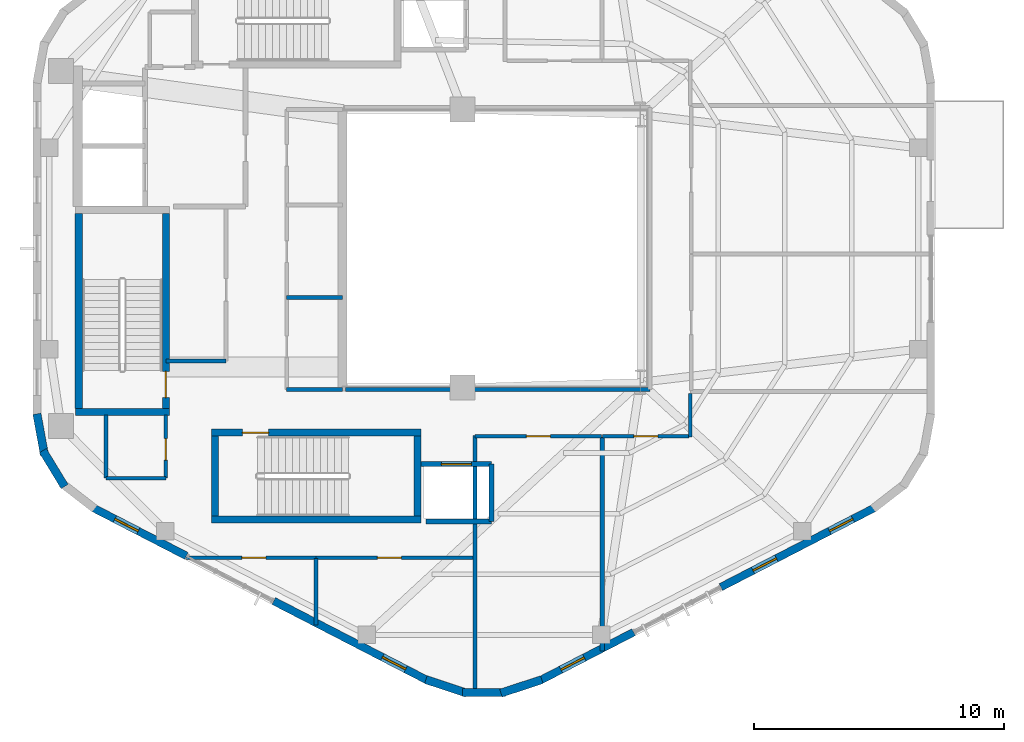
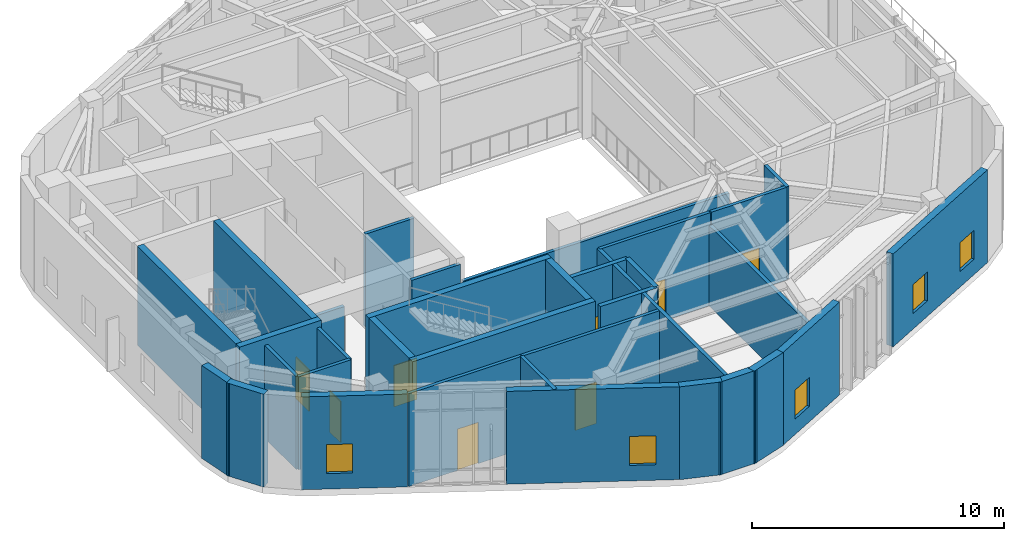
# One storey, part 14 of 19: 34 walls, 8 doors, 5 windows, 13 openings.
"""IFC4 building model written with IfcOpenShell, lengths in metres."""

import ifcopenshell
import ifcopenshell.guid

model = None  # the IFC model being written
_history = None  # IfcOwnerHistory: only IFC2X3 demands one
_inside = {}  # id of a spatial element -> (the spatial element, [elements in it])
_under = {}  # id of a project, library or spatial element -> (it, [spatial elements below it])
_declared = {}  # id of a project -> (the project, [libraries it declares])
_typed = {}  # id of a type object -> (the type object, [elements of that type])
_made_of = {}  # id of a material, layer set ... -> (it, [elements and type objects made of it])


def new_model(schema):
    """Start an empty IFC model of exactly this schema.

    Asked for "IFC4X3", IfcOpenShell would pick the latest addendum, in which some entities
    have other attributes; the version numbers below select the first issue.
    IFC2X3 requires an IfcOwnerHistory on every rooted entity: one is made here for all.
    """
    global model, _history
    if schema == "IFC4X3":
        model = ifcopenshell.file(schema_version=(4, 3, 0, 0))
    else:
        model = ifcopenshell.file(schema=schema)
    _inside.clear()
    _under.clear()
    _declared.clear()
    _typed.clear()
    _made_of.clear()
    _history = None
    if model.schema == "IFC2X3":
        org = make("IfcOrganization", Name="unknown")
        user = make(
            "IfcPersonAndOrganization",
            ThePerson=make("IfcPerson", FamilyName="unknown"),
            TheOrganization=org,
        )
        app = make(
            "IfcApplication",
            ApplicationDeveloper=org,
            Version="unknown",
            ApplicationFullName="unknown",
            ApplicationIdentifier="unknown",
        )
        _history = make(
            "IfcOwnerHistory",
            OwningUser=user,
            OwningApplication=app,
            ChangeAction="ADDED",
            CreationDate=0,
        )
    return model


def make(cls, **values):
    """One entity of the class cls with the attributes given. An attribute that is None is left unset."""
    return model.create_entity(
        cls, **{name: value for name, value in values.items() if value is not None}
    )


def rooted(cls, **values):
    """An entity with a GlobalId (a new one), such as an element, a storey or a relation."""
    return make(cls, GlobalId=ifcopenshell.guid.new(), OwnerHistory=_history, **values)


def si_unit(unit_type, name, prefix=None):
    """IfcSIUnit, for example si_unit("LENGTHUNIT", "METRE", prefix="MILLI")."""
    return make("IfcSIUnit", UnitType=unit_type, Prefix=prefix, Name=name)


def assignment(units):
    """IfcUnitAssignment: the units of a project."""
    return None if units is None else make("IfcUnitAssignment", Units=units)


def point(xyz):
    """IfcCartesianPoint."""
    return None if xyz is None else make("IfcCartesianPoint", Coordinates=xyz)


def direction(xyz):
    """IfcDirection."""
    return None if xyz is None else make("IfcDirection", DirectionRatios=xyz)


def frame(location, z_axis=None, x_axis=None):
    """IfcAxis2Placement3D, a coordinate frame: its origin and axes. An axis left out is left unset."""
    return make(
        "IfcAxis2Placement3D",
        Location=point(location),
        Axis=direction(z_axis),
        RefDirection=direction(x_axis),
    )


def frame_2d(location, x_axis=None):
    """IfcAxis2Placement2D, a coordinate frame in the plane: its origin and x axis."""
    return make(
        "IfcAxis2Placement2D", Location=point(location), RefDirection=direction(x_axis)
    )


def origin():
    """The frame at (0, 0, 0) with its axes left unset."""
    return frame((0.0, 0.0, 0.0))


def place(relative_to, where):
    """IfcLocalPlacement: puts the frame where relative to a parent placement (None: the world)."""
    return make(
        "IfcLocalPlacement", PlacementRelTo=relative_to, RelativePlacement=where
    )


def context(
    kind, dimensions, precision=None, world=None, true_north=None, identifier=None
):
    """IfcGeometricRepresentationContext, for example the 3D "Model" context."""
    return make(
        "IfcGeometricRepresentationContext",
        ContextIdentifier=identifier,
        ContextType=kind,
        CoordinateSpaceDimension=dimensions,
        Precision=precision,
        WorldCoordinateSystem=world,
        TrueNorth=true_north,
    )


def subcontext(parent, identifier, kind, view, scale=None):
    """IfcGeometricRepresentationSubContext, for example "Body" below "Model"."""
    return make(
        "IfcGeometricRepresentationSubContext",
        ContextIdentifier=identifier,
        ContextType=kind,
        ParentContext=parent,
        TargetScale=scale,
        TargetView=view,
    )


def project(units=None, contexts=None):
    """IfcProject with its units and contexts."""
    return rooted(
        "IfcProject",
        Name="project",
        RepresentationContexts=contexts,
        UnitsInContext=assignment(units),
    )


def spatial(cls, under=None, at=None, **own):
    """A site, building, storey or space (cls), placed at a placement, below another one or the project."""
    s = rooted(cls, ObjectPlacement=at, **own)
    if under is not None:
        _under.setdefault(under.id(), (under, []))[1].append(s)
    return s


def profile(cls, at=None, kind="AREA", **sizes):
    """A parametric profile (cls). Its sizes go by their IFC names, for example OverallWidth=200.0."""
    return make(cls, ProfileType=kind, Position=at, **sizes)


def rectangle(**sizes):
    """IfcRectangleProfileDef."""
    return profile("IfcRectangleProfileDef", **sizes)


def extrude(swept, where, along, depth):
    """IfcExtrudedAreaSolid: the profile swept, set in the frame where, extruded along a direction by depth."""
    return make(
        "IfcExtrudedAreaSolid",
        SweptArea=swept,
        Position=where,
        ExtrudedDirection=direction(along),
        Depth=depth,
    )


def shape(context_of_items, identifier, shape_type, items):
    """IfcShapeRepresentation: the items that make up one representation, for example the "Body"."""
    return make(
        "IfcShapeRepresentation",
        ContextOfItems=context_of_items,
        RepresentationIdentifier=identifier,
        RepresentationType=shape_type,
        Items=items,
    )


def material(Name=None, Category=None):
    """IfcMaterial."""
    return make("IfcMaterial", Name=Name, Category=Category)


def layer(
    of_material, thickness, ventilated=None, Name=None, Category=None, Priority=None
):
    """IfcMaterialLayer: one layer of a wall or slab, of a material (None: an air gap)."""
    return make(
        "IfcMaterialLayer",
        Material=of_material,
        LayerThickness=thickness,
        IsVentilated=ventilated,
        Name=Name,
        Category=Category,
        Priority=Priority,
    )


def layer_set(layers, Name=None):
    """IfcMaterialLayerSet."""
    return make("IfcMaterialLayerSet", MaterialLayers=layers, LayerSetName=Name)


def made_of(thing, what):
    """Note that an element or type object is made of a material, layer set ...; save() writes the relation."""
    if what is not None:
        _made_of.setdefault(what.id(), (what, []))[1].append(thing)
    return thing


def type_object(cls, material=None, **own):
    """A type object (cls), such as IfcWallType, which elements share."""
    return made_of(rooted(cls, **own), material)


def element(
    cls,
    number,
    at=None,
    inside=None,
    cuts=None,
    type_object=None,
    material=None,
    context=None,
    identifier="Body",
    shape_type=None,
    held_by="IfcProductDefinitionShape",
    body=None,
    shapes=None,
    **own,
):
    """One element of the class cls, such as IfcWall. Its Tag is "e" and its number.

    at: its placement. inside: the storey or other place that contains it. cuts: it is an
    opening in that element (IfcRelVoidsElement). A single representation is given by context,
    identifier, shape_type and body (its items); several are given by shapes. held_by: the class
    of the entity that holds the representations. save() writes the other relations.
    """
    e = rooted(cls, Tag="e%d" % number, ObjectPlacement=at, **own)
    if body is not None:
        shapes = [shape(context, identifier, shape_type, body)]
    if shapes is not None:
        e.Representation = make(held_by, Representations=shapes)
    if inside is not None:
        _inside.setdefault(inside.id(), (inside, []))[1].append(e)
    if cuts is not None:
        rooted(
            "IfcRelVoidsElement", RelatingBuildingElement=cuts, RelatedOpeningElement=e
        )
    if type_object is not None:
        _typed.setdefault(type_object.id(), (type_object, []))[1].append(e)
    return made_of(e, material)


def fill(opening, filler):
    """IfcRelFillsElement: the door or window that sits in an opening."""
    return rooted(
        "IfcRelFillsElement",
        RelatingOpeningElement=opening,
        RelatedBuildingElement=filler,
    )


def aggregate(whole, parts):
    """IfcRelAggregates: a whole, such as a stair, and the parts it consists of."""
    return rooted("IfcRelAggregates", RelatingObject=whole, RelatedObjects=parts)


def save(model, path):
    """Write the relations noted so far, then the file.

    IfcRelAggregates (storeys below a building ...), IfcRelContainedInSpatialStructure (elements
    in a storey), IfcRelDefinesByType, IfcRelAssociatesMaterial and IfcRelDeclares: one each for
    every whole, place, type object, material and project.
    """
    for whole, parts in _under.values():
        aggregate(whole, parts)
    for where, things in _inside.values():
        rooted(
            "IfcRelContainedInSpatialStructure",
            RelatedElements=things,
            RelatingStructure=where,
        )
    for kind, things in _typed.values():
        rooted("IfcRelDefinesByType", RelatedObjects=things, RelatingType=kind)
    for what, things in _made_of.values():
        rooted("IfcRelAssociatesMaterial", RelatedObjects=things, RelatingMaterial=what)
    for by, libraries in _declared.values():
        rooted("IfcRelDeclares", RelatingContext=by, RelatedDefinitions=libraries)
    model.write(path)


model = new_model("IFC4")

# Units and contexts
model_context = context("Model", 3, precision=1e-05, world=origin(), true_north=direction((0.0, 1.0)))
body_context = subcontext(model_context, "Body", "Model", "MODEL_VIEW")
ifc_project = project(units=[si_unit("LENGTHUNIT", "METRE"), si_unit("AREAUNIT", "SQUARE_METRE"), si_unit("VOLUMEUNIT", "CUBIC_METRE"), si_unit("PLANEANGLEUNIT", "RADIAN"), si_unit("MASSUNIT", "GRAM", prefix="KILO"), si_unit("THERMODYNAMICTEMPERATUREUNIT", "KELVIN"), si_unit("POWERUNIT", "WATT")], contexts=[model_context])

# Site, building, storey
site_placement = place(None, origin())
site = spatial("IfcSite", under=ifc_project, at=site_placement, CompositionType="ELEMENT")
building_placement = place(site_placement, origin())
building = spatial("IfcBuilding", under=site, at=building_placement, Name="Skarre Station Tower", CompositionType="ELEMENT")
storey_placement = place(building_placement, frame((0.0, 0.0, 275.10009765625)))
storey = spatial("IfcBuildingStorey", under=building, at=storey_placement, Name="L75", CompositionType="ELEMENT", Elevation=275.10009765625)

# Walls
ifc_material_1 = material(Name="Acoustic Steel-Stud Gypsum Partition", Category="steel")
ifc_layer_1 = layer(ifc_material_1, 0.14990234375, Name="Acoustic Steel-Stud Gypsum Partition")
ifc_layer_set_1 = layer_set([ifc_layer_1], Name="Acoustic Steel-Stud Gypsum Partition")
wall_type_1 = type_object("IfcWallType", Name="Fire-Rated Corridor Acoustic Partition 150", PredefinedType="PARTITIONING", material=ifc_layer_set_1)
wall_1_placement = place(storey_placement, frame((20.489990234375, 19.5, 0.0), z_axis=(0.0, 0.0, 1.0), x_axis=(1.0, 0.0, 0.0)))
element("IfcWall", 1, at=wall_1_placement, inside=storey, type_object=wall_type_1, Name="L75 Interior Partition WL-PT-L75-B3-S", PredefinedType="PARTITIONING", context=body_context, shape_type="SweptSolid", body=[
    extrude(rectangle(XDim=2.409912109375, YDim=0.159912109375, at=frame_2d((1.205078125, 0.0))), origin(), (0.0, 0.0, 1.0), 3.389892578125),
])
for number, where, z_axis, x_axis, name in (
    (2, (25.320068359375, 22.0400390625, 0.0), (0.0, 0.0, 1.0), (1.0, 0.0, 0.0), "L75 Interior Partition WL-PT-L75-RC2-M1"),
    (3, (25.320068359375, 18.360107421875, 0.0), (0.0, 0.0, 1.0), (1.0, 0.0, 0.0), "L75 Interior Partition WL-PT-L75-RC2-S"),
):
    element("IfcWall", number, at=place(storey_placement, frame(where, z_axis=z_axis, x_axis=x_axis)), inside=storey, type_object=wall_type_1, Name=name, PredefinedType="PARTITIONING", context=body_context, shape_type="SweptSolid", body=[
        extrude(rectangle(XDim=2.22998046875, YDim=0.14990234375, at=frame_2d((1.114990234375, 0.0))), origin(), (0.0, 0.0, 1.0), 4.489990234375),
    ])
wall_2_placement = place(storey_placement, frame((18.10009765625, 17.340087890625, 0.0), z_axis=(0.0, 0.0, 1.0), x_axis=(0.0, -1.0, 0.0)))
element("IfcWall", 4, at=wall_2_placement, inside=storey, type_object=wall_type_1, Name="L75 Interior Partition WL-PT-L75-CSVC-W", PredefinedType="PARTITIONING", context=body_context, shape_type="SweptSolid", body=[
    extrude(rectangle(XDim=2.52001953125, YDim=0.14990234375, at=frame_2d((1.260009765625, 0.0))), origin(), (0.0, 0.0, 1.0), 4.489990234375),
])
wall_3_placement = place(storey_placement, frame((18.10009765625, 14.820068359375, 0.0), z_axis=(0.0, 0.0, 1.0), x_axis=(1.0, 0.0, 0.0)))
element("IfcWall", 5, at=wall_3_placement, inside=storey, type_object=wall_type_1, Name="L75 Interior Partition WL-PT-L75-CSVC-S", PredefinedType="PARTITIONING", context=body_context, shape_type="SweptSolid", body=[
    extrude(rectangle(XDim=2.389892578125, YDim=0.14990234375, at=frame_2d((1.19482421875, 0.0))), origin(), (0.0, 0.0, 1.0), 4.489990234375),
])

# Wall, opening, door
wall_4_placement = place(storey_placement, frame((20.489990234375, 14.820068359375, 0.0), z_axis=(0.0, 0.0, 1.0), x_axis=(0.0, 1.0, 0.0)))
wall_4 = element("IfcWall", 6, at=wall_4_placement, inside=storey, type_object=wall_type_1, Name="L75 Interior Partition WL-PT-L75-CSVC-E", PredefinedType="PARTITIONING", context=body_context, shape_type="SweptSolid", body=[
    extrude(rectangle(XDim=2.52001953125, YDim=0.14990234375, at=frame_2d((1.260009765625, 0.0))), origin(), (0.0, 0.0, 1.0), 4.489990234375),
])
opening_1_placement = place(wall_4_placement, frame((0.719970703125, 0.0, 0.0)))
opening_1 = element("IfcOpeningElement", 7, at=opening_1_placement, cuts=wall_4, Name="Opening DR-SVC86", PredefinedType="OPENING", context=body_context, shape_type="SweptSolid", body=[
    extrude(rectangle(XDim=0.860107421875, YDim=2.0, at=frame_2d((0.43017578125, 1.0))), frame((0.0, 0.0849609375, 0.0), z_axis=(0.0, -1.0, 0.0), x_axis=(1.0, 0.0, 0.0)), (0.0, 0.0, 1.0), 0.169921875),
])
ifc_material_2 = material(Name="Powder-Coated Hollow-Metal Acoustic Fire Leaf", Category="steel")
door_type_1 = type_object("IfcDoorType", Name="Compact Riser Fire Door FD60 860x2100", OperationType="SINGLE_SWING_LEFT", PredefinedType="DOOR", material=ifc_material_2)
door_1_placement = place(opening_1_placement, origin())
door_1 = element("IfcDoor", 8, at=door_1_placement, inside=storey, type_object=door_type_1, Name="L75 Core Staff Toilet Door", OperationType="SINGLE_SWING_LEFT", OverallHeight=2.0, OverallWidth=0.860107421875, PredefinedType="DOOR", context=body_context, shape_type="SweptSolid", body=[
    extrude(rectangle(XDim=0.860107421875, YDim=2.0, at=frame_2d((0.43017578125, 1.0))), frame((0.0, 0.02490234375, 0.0), z_axis=(0.0, -1.0, 0.0), x_axis=(1.0, 0.0, 0.0)), (0.0, 0.0, 1.0), 0.050048828125),
])
fill(opening_1, door_1)

# Wall
wall_5_placement = place(storey_placement, frame((27.675048828125, 18.360107421875, 0.0), z_axis=(0.0, 0.0, 1.0), x_axis=(1.0, 0.0, 0.0)))
element("IfcWall", 9, at=wall_5_placement, inside=storey, type_object=wall_type_1, Name="L75 Interior Partition WL-PT-L75-ATRW-S", PredefinedType="PARTITIONING", context=body_context, shape_type="SweptSolid", body=[
    extrude(rectangle(XDim=12.1650390625, YDim=0.14990234375, at=frame_2d((6.08251953125, 0.0))), origin(), (0.0, 0.0, 1.0), 3.630859375),
])

# Wall, opening, door
wall_6_placement = place(storey_placement, frame((26.48291015625, 11.639892578125, 0.0), z_axis=(0.0, 0.0, 1.0), x_axis=(-1.0, 0.0, 0.0)))
wall_6 = element("IfcWall", 10, at=wall_6_placement, inside=storey, type_object=wall_type_1, Name="L75 Interior Partition WL-PT-L75-CRNSWP1-CW", PredefinedType="PARTITIONING", context=body_context, shape_type="SweptSolid", body=[
    extrude(rectangle(XDim=5.184814453125, YDim=0.14990234375, at=frame_2d((2.59228515625, 0.0))), origin(), (0.0, 0.0, 1.0), 4.489990234375),
])
opening_2_placement = place(wall_6_placement, frame((1.993896484375, 0.0, 0.0)))
opening_2 = element("IfcOpeningElement", 11, at=opening_2_placement, cuts=wall_6, Name="Opening DR-FD60", PredefinedType="OPENING", context=body_context, shape_type="SweptSolid", body=[
    extrude(rectangle(XDim=0.9599609375, YDim=2.0, at=frame_2d((0.47998046875, 1.0))), frame((0.0, 0.0849609375, 0.0), z_axis=(0.0, -1.0, 0.0), x_axis=(1.0, 0.0, 0.0)), (0.0, 0.0, 1.0), 0.169921875),
])
ifc_material_3 = material(Name="Nordic White-Oak Veneer Solid-Core Fire Leaf", Category="wood")
door_type_2 = type_object("IfcDoorType", Name="Corridor Suite Entry Fire Door FD60 960x2150", OperationType="SINGLE_SWING_LEFT", PredefinedType="DOOR", material=ifc_material_3)
door_2_placement = place(opening_2_placement, origin())
door_2 = element("IfcDoor", 12, at=door_2_placement, inside=storey, type_object=door_type_2, Name="L75 CRNSWP1 Entry Door", OperationType="SINGLE_SWING_LEFT", OverallHeight=2.0, OverallWidth=0.9599609375, PredefinedType="DOOR", context=body_context, shape_type="SweptSolid", body=[
    extrude(rectangle(XDim=0.9599609375, YDim=2.0, at=frame_2d((0.47998046875, 1.0))), frame((0.0, 0.02490234375, 0.0), z_axis=(0.0, -1.0, 0.0), x_axis=(1.0, 0.0, 0.0)), (0.0, 0.0, 1.0), 0.050048828125),
])
fill(opening_2, door_2)

wall_7_placement = place(storey_placement, frame((32.77294921875, 11.639892578125, 0.0), z_axis=(0.0, 0.0, 1.0), x_axis=(-1.0, 0.0, 0.0)))
wall_7 = element("IfcWall", 13, at=wall_7_placement, inside=storey, type_object=wall_type_1, Name="L75 Interior Partition WL-PT-L75-CRNSWP2-CW", PredefinedType="PARTITIONING", context=body_context, shape_type="SweptSolid", body=[
    extrude(rectangle(XDim=6.280029296875, YDim=0.14990234375, at=frame_2d((3.14013671875, 0.0))), origin(), (0.0, 0.0, 1.0), 4.489990234375),
])
opening_3_placement = place(wall_7_placement, frame((2.864990234375, 0.0, 0.0)))
opening_3 = element("IfcOpeningElement", 14, at=opening_3_placement, cuts=wall_7, Name="Opening DR-FD60", PredefinedType="OPENING", context=body_context, shape_type="SweptSolid", body=[
    extrude(rectangle(XDim=0.9599609375, YDim=2.0, at=frame_2d((0.47998046875, 1.0))), frame((0.0, 0.0849609375, 0.0), z_axis=(0.0, -1.0, 0.0), x_axis=(1.0, 0.0, 0.0)), (0.0, 0.0, 1.0), 0.169921875),
])
door_3_placement = place(opening_3_placement, origin())
door_3 = element("IfcDoor", 15, at=door_3_placement, inside=storey, type_object=door_type_2, Name="L75 CRNSWP2 Entry Door", OperationType="SINGLE_SWING_LEFT", OverallHeight=2.0, OverallWidth=0.9599609375, PredefinedType="DOOR", context=body_context, shape_type="SweptSolid", body=[
    extrude(rectangle(XDim=0.9599609375, YDim=2.0, at=frame_2d((0.47998046875, 1.0))), frame((0.0, 0.02490234375, 0.0), z_axis=(0.0, -1.0, 0.0), x_axis=(1.0, 0.0, 0.0)), (0.0, 0.0, 1.0), 0.050048828125),
])
fill(opening_3, door_3)

# Wall
wall_8_placement = place(storey_placement, frame((41.449951171875, 16.4599609375, 0.0), z_axis=(0.0, 0.0, 1.0), x_axis=(0.0, 1.0, 0.0)))
element("IfcWall", 16, at=wall_8_placement, inside=storey, type_object=wall_type_1, Name="L75 Interior Partition WL-PT-L75-CRNS-ERET", PredefinedType="PARTITIONING", context=body_context, shape_type="SweptSolid", body=[
    extrude(rectangle(XDim=1.741943359375, YDim=0.14990234375, at=frame_2d((0.87109375, 0.0))), origin(), (0.0, 0.0, 1.0), 4.489990234375),
])

# Wall, opening, door
wall_9_placement = place(storey_placement, frame((32.85009765625, 16.5, 0.0), z_axis=(0.0, 0.0, 1.0), x_axis=(1.0, 0.0, 0.0)))
wall_9 = element("IfcWall", 17, at=wall_9_placement, inside=storey, type_object=wall_type_1, Name="L75 Interior Partition WL-PT-L75-CRNS1-CW", PredefinedType="PARTITIONING", context=body_context, shape_type="SweptSolid", body=[
    extrude(rectangle(XDim=5.060791015625, YDim=0.14990234375, at=frame_2d((2.5302734375, 0.0))), origin(), (0.0, 0.0, 1.0), 4.489990234375),
])
opening_4_placement = place(wall_9_placement, frame((2.051025390625, 0.0, 0.0)))
opening_4 = element("IfcOpeningElement", 18, at=opening_4_placement, cuts=wall_9, Name="Opening DR-FD60", PredefinedType="OPENING", context=body_context, shape_type="SweptSolid", body=[
    extrude(rectangle(XDim=0.9599609375, YDim=2.0, at=frame_2d((0.47998046875, 1.0))), frame((0.0, 0.0849609375, 0.0), z_axis=(0.0, -1.0, 0.0), x_axis=(1.0, 0.0, 0.0)), (0.0, 0.0, 1.0), 0.169921875),
])
door_4_placement = place(opening_4_placement, origin())
door_4 = element("IfcDoor", 19, at=door_4_placement, inside=storey, type_object=door_type_2, Name="L75 CRNS1 Entry Door", OperationType="SINGLE_SWING_LEFT", OverallHeight=2.0, OverallWidth=0.9599609375, PredefinedType="DOOR", context=body_context, shape_type="SweptSolid", body=[
    extrude(rectangle(XDim=0.9599609375, YDim=2.0, at=frame_2d((0.47998046875, 1.0))), frame((0.0, 0.02490234375, 0.0), z_axis=(0.0, -1.0, 0.0), x_axis=(1.0, 0.0, 0.0)), (0.0, 0.0, 1.0), 0.050048828125),
])
fill(opening_4, door_4)

wall_10_placement = place(storey_placement, frame((37.947021484375, 16.5, 0.0), z_axis=(0.0, 0.0, 1.0), x_axis=(1.0, 0.0, 0.0)))
wall_10 = element("IfcWall", 20, at=wall_10_placement, inside=storey, type_object=wall_type_1, Name="L75 Interior Partition WL-PT-L75-CRNS2-CW", PredefinedType="PARTITIONING", context=body_context, shape_type="SweptSolid", body=[
    extrude(rectangle(XDim=3.452880859375, YDim=0.14990234375, at=frame_2d((1.7265625, 0.0))), origin(), (0.0, 0.0, 1.0), 4.489990234375),
])
opening_5_placement = place(wall_10_placement, frame((1.2470703125, 0.0, 0.0)))
opening_5 = element("IfcOpeningElement", 21, at=opening_5_placement, cuts=wall_10, Name="Opening DR-FD60", PredefinedType="OPENING", context=body_context, shape_type="SweptSolid", body=[
    extrude(rectangle(XDim=0.9599609375, YDim=2.0, at=frame_2d((0.47998046875, 1.0))), frame((0.0, 0.0849609375, 0.0), z_axis=(0.0, -1.0, 0.0), x_axis=(1.0, 0.0, 0.0)), (0.0, 0.0, 1.0), 0.169921875),
])
door_5_placement = place(opening_5_placement, origin())
door_5 = element("IfcDoor", 22, at=door_5_placement, inside=storey, type_object=door_type_2, Name="L75 CRNS2 Entry Door", OperationType="SINGLE_SWING_LEFT", OverallHeight=2.0, OverallWidth=0.9599609375, PredefinedType="DOOR", context=body_context, shape_type="SweptSolid", body=[
    extrude(rectangle(XDim=0.9599609375, YDim=2.0, at=frame_2d((0.47998046875, 1.0))), frame((0.0, 0.02490234375, 0.0), z_axis=(0.0, -1.0, 0.0), x_axis=(1.0, 0.0, 0.0)), (0.0, 0.0, 1.0), 0.050048828125),
])
fill(opening_5, door_5)

# Walls
ifc_material_4 = material(Name="Precast concrete C45/55", Category="concrete")
ifc_layer_2 = layer(ifc_material_4, 0.330078125, Name="Precast concrete C45/55")
ifc_layer_set_2 = layer_set([ifc_layer_2], Name="Precast concrete C45/55")
wall_type_2 = type_object("IfcWallType", Name="Nordic Rounded Corner Precast Wall 330", PredefinedType="STANDARD", material=ifc_layer_set_2)
wall_11_placement = place(storey_placement, frame((16.447021484375, 14.485107421875, 0.0), z_axis=(0.0, 0.0, 1.0), x_axis=(-0.520325409202, 0.853968072318, 0.0)))
element("IfcWall", 23, at=wall_11_placement, inside=storey, type_object=wall_type_2, Name="L75 Rounded Corner Precast Wall F3-2", PredefinedType="STANDARD", context=body_context, shape_type="SweptSolid", body=[
    extrude(rectangle(XDim=1.677978515625, YDim=0.330078125, at=frame_2d((0.8388671875, 0.0))), origin(), (0.0, 0.0, 1.0), 4.489990234375),
])
wall_12_placement = place(storey_placement, frame((15.64111328125, 15.742919921875, 0.0), z_axis=(0.0, 0.0, 1.0), x_axis=(-0.180832605401, 0.983513888475, 0.0)))
element("IfcWall", 24, at=wall_12_placement, inside=storey, type_object=wall_type_2, Name="L75 Rounded Corner Precast Wall F3-3", PredefinedType="STANDARD", context=body_context, shape_type="SweptSolid", body=[
    extrude(rectangle(XDim=1.6767578125, YDim=0.330078125, at=frame_2d((0.83837890625, 0.0))), origin(), (0.0, 0.0, 1.0), 4.489990234375),
])
wall_13_placement = place(storey_placement, frame((35.51806640625, 6.76904296875, 0.0), z_axis=(0.0, 0.0, 1.0), x_axis=(-0.949713440491, -0.313120393699, 0.0)))
element("IfcWall", 25, at=wall_13_placement, inside=storey, type_object=wall_type_2, Name="L75 Rounded Corner Precast Wall F4-1", PredefinedType="STANDARD", context=body_context, shape_type="SweptSolid", body=[
    extrude(rectangle(XDim=1.7216796875, YDim=0.330078125, at=frame_2d((0.86083984375, 0.0))), origin(), (0.0, 0.0, 1.0), 4.489990234375),
])
wall_14_placement = place(storey_placement, frame((34.06103515625, 6.259033203125, 0.0), z_axis=(0.0, 0.0, 1.0), x_axis=(-1.0, 0.0, 0.0)))
element("IfcWall", 26, at=wall_14_placement, inside=storey, type_object=wall_type_2, Name="L75 Rounded Corner Precast Wall F4-2", PredefinedType="STANDARD", context=body_context, shape_type="SweptSolid", body=[
    extrude(rectangle(XDim=1.721923828125, YDim=0.330078125, at=frame_2d((0.86083984375, 0.0))), origin(), (0.0, 0.0, 1.0), 4.489990234375),
])
wall_15_placement = place(storey_placement, frame((32.51708984375, 6.22998046875, 0.0), z_axis=(0.0, 0.0, 1.0), x_axis=(-0.949713440491, 0.313120393699, 0.0)))
element("IfcWall", 27, at=wall_15_placement, inside=storey, type_object=wall_type_2, Name="L75 Rounded Corner Precast Wall F4-3", PredefinedType="STANDARD", context=body_context, shape_type="SweptSolid", body=[
    extrude(rectangle(XDim=1.7216796875, YDim=0.330078125, at=frame_2d((0.86083984375, 0.0))), origin(), (0.0, 0.0, 1.0), 4.489990234375),
])

# Wall, opening, window
ifc_layer_3 = layer(ifc_material_4, 0.31005859375, Name="Precast concrete C45/55")
ifc_layer_set_3 = layer_set([ifc_layer_3], Name="Precast concrete C45/55")
wall_type_3 = type_object("IfcWallType", Name="Nordic Upper-Zone Precast Facet Wall 310", PredefinedType="STANDARD", material=ifc_layer_set_3)
wall_16_placement = place(storey_placement, frame((30.962890625, 6.72998046875, 0.0), z_axis=(0.0, 0.0, 1.0), x_axis=(-0.888615566095, 0.458652783371, 0.0)))
wall_16 = element("IfcWall", 28, at=wall_16_placement, inside=storey, type_object=wall_type_3, Name="L75 Facet 3 Pier A", PredefinedType="STANDARD", context=body_context, shape_type="SweptSolid", body=[
    extrude(rectangle(XDim=6.935302734375, YDim=0.31005859375, at=frame_2d((3.4677734375, 0.0))), origin(), (0.0, 0.0, 1.0), 4.489990234375),
])
opening_6_placement = place(wall_16_placement, frame((0.998046875, 0.0, 0.75)))
opening_6 = element("IfcOpeningElement", 29, at=opening_6_placement, cuts=wall_16, Name="Opening WN-SLT", PredefinedType="OPENING", context=body_context, shape_type="SweptSolid", body=[
    extrude(rectangle(XDim=1.050048828125, YDim=1.39990234375, at=frame_2d((0.52490234375, 0.699951171875))), frame((0.0, 0.1650390625, 0.0), z_axis=(0.0, -1.0, 0.0), x_axis=(1.0, 0.0, 0.0)), (0.0, 0.0, 1.0), 0.330078125),
])
ifc_material_5 = material(Name="Low-Iron Triple Glazing with Bronze Anodized Frame", Category="glass")
window_type = type_object("IfcWindowType", Name="Nordic Corner Slot Window 1050x1400", PartitioningType="SINGLE_PANEL", PredefinedType="WINDOW", material=ifc_material_5)
window_1_placement = place(opening_6_placement, origin())
window_1 = element("IfcWindow", 30, at=window_1_placement, inside=storey, type_object=window_type, Name="L75 Facade Window WL-FAC-L75-F3A-1", OverallHeight=1.39990234375, OverallWidth=1.050048828125, PartitioningType="SINGLE_PANEL", PredefinedType="WINDOW", context=body_context, shape_type="SweptSolid", body=[
    extrude(rectangle(XDim=1.050048828125, YDim=1.39990234375, at=frame_2d((0.52490234375, 0.699951171875))), frame((0.0, 0.030029296875, 0.0), z_axis=(0.0, -1.0, 0.0), x_axis=(1.0, 0.0, 0.0)), (0.0, 0.0, 1.0), 0.06005859375),
])
fill(opening_6, window_1)

wall_17_placement = place(storey_placement, frame((21.31689453125, 11.7099609375, 0.0), z_axis=(0.0, 0.0, 1.0), x_axis=(-0.888616094641, 0.45865175934, 0.0)))
wall_17 = element("IfcWall", 31, at=wall_17_placement, inside=storey, type_object=wall_type_3, Name="L75 Facet 3 Pier B", PredefinedType="STANDARD", context=body_context, shape_type="SweptSolid", body=[
    extrude(rectangle(XDim=4.22119140625, YDim=0.31005859375, at=frame_2d((2.110595703125, 0.0))), origin(), (0.0, 0.0, 1.0), 4.489990234375),
])
opening_7_placement = place(wall_17_placement, frame((2.173095703125, 0.0, 0.75)))
opening_7 = element("IfcOpeningElement", 32, at=opening_7_placement, cuts=wall_17, Name="Opening WN-SLT", PredefinedType="OPENING", context=body_context, shape_type="SweptSolid", body=[
    extrude(rectangle(XDim=1.050048828125, YDim=1.39990234375, at=frame_2d((0.52490234375, 0.699951171875))), frame((0.0, 0.1650390625, 0.0), z_axis=(0.0, -1.0, 0.0), x_axis=(1.0, 0.0, 0.0)), (0.0, 0.0, 1.0), 0.330078125),
])
window_2_placement = place(opening_7_placement, origin())
window_2 = element("IfcWindow", 33, at=window_2_placement, inside=storey, type_object=window_type, Name="L75 Facade Window WL-FAC-L75-F3B-1", OverallHeight=1.39990234375, OverallWidth=1.050048828125, PartitioningType="SINGLE_PANEL", PredefinedType="WINDOW", context=body_context, shape_type="SweptSolid", body=[
    extrude(rectangle(XDim=1.050048828125, YDim=1.39990234375, at=frame_2d((0.52490234375, 0.699951171875))), frame((0.0, 0.030029296875, 0.0), z_axis=(0.0, -1.0, 0.0), x_axis=(1.0, 0.0, 0.0)), (0.0, 0.0, 1.0), 0.06005859375),
])
fill(opening_7, window_2)

# Wall, openings, windows
wall_18_placement = place(storey_placement, frame((48.833984375, 13.64599609375, 0.0), z_axis=(0.0, 0.0, 1.0), x_axis=(-0.888622971019, -0.458638436437, 0.0)))
wall_18 = element("IfcWall", 34, at=wall_18_placement, inside=storey, type_object=wall_type_3, Name="L75 Facet 4 Pier A", PredefinedType="STANDARD", context=body_context, shape_type="SweptSolid", body=[
    extrude(rectangle(XDim=6.935546875, YDim=0.31005859375, at=frame_2d((3.4677734375, 0.0))), origin(), (0.0, 0.0, 1.0), 4.489990234375),
])
opening_8_placement = place(wall_18_placement, frame((0.998046875, 0.0, 0.75)))
opening_8 = element("IfcOpeningElement", 35, at=opening_8_placement, cuts=wall_18, Name="Opening WN-SLT", PredefinedType="OPENING", context=body_context, shape_type="SweptSolid", body=[
    extrude(rectangle(XDim=1.050048828125, YDim=1.39990234375, at=frame_2d((0.52490234375, 0.699951171875))), frame((0.0, 0.1650390625, 0.0), z_axis=(0.0, -1.0, 0.0), x_axis=(1.0, 0.0, 0.0)), (0.0, 0.0, 1.0), 0.330078125),
])
opening_9_placement = place(wall_18_placement, frame((4.43603515625, 0.0, 0.75)))
opening_9 = element("IfcOpeningElement", 36, at=opening_9_placement, cuts=wall_18, Name="Opening WN-SLT", PredefinedType="OPENING", context=body_context, shape_type="SweptSolid", body=[
    extrude(rectangle(XDim=1.050048828125, YDim=1.39990234375, at=frame_2d((0.52490234375, 0.699951171875))), frame((0.0, 0.1650390625, 0.0), z_axis=(0.0, -1.0, 0.0), x_axis=(1.0, 0.0, 0.0)), (0.0, 0.0, 1.0), 0.330078125),
])
window_3_placement = place(opening_8_placement, origin())
window_3 = element("IfcWindow", 37, at=window_3_placement, inside=storey, type_object=window_type, Name="L75 Facade Window WL-FAC-L75-F4A-1", OverallHeight=1.39990234375, OverallWidth=1.050048828125, PartitioningType="SINGLE_PANEL", PredefinedType="WINDOW", context=body_context, shape_type="SweptSolid", body=[
    extrude(rectangle(XDim=1.050048828125, YDim=1.39990234375, at=frame_2d((0.52490234375, 0.699951171875))), frame((0.0, 0.030029296875, 0.0), z_axis=(0.0, -1.0, 0.0), x_axis=(1.0, 0.0, 0.0)), (0.0, 0.0, 1.0), 0.06005859375),
])
fill(opening_8, window_3)
window_4_placement = place(opening_9_placement, origin())
window_4 = element("IfcWindow", 38, at=window_4_placement, inside=storey, type_object=window_type, Name="L75 Facade Window WL-FAC-L75-F4A-2", OverallHeight=1.39990234375, OverallWidth=1.050048828125, PartitioningType="SINGLE_PANEL", PredefinedType="WINDOW", context=body_context, shape_type="SweptSolid", body=[
    extrude(rectangle(XDim=1.050048828125, YDim=1.39990234375, at=frame_2d((0.52490234375, 0.699951171875))), frame((0.0, 0.030029296875, 0.0), z_axis=(0.0, -1.0, 0.0), x_axis=(1.0, 0.0, 0.0)), (0.0, 0.0, 1.0), 0.06005859375),
])
fill(opening_9, window_4)

# Wall, opening, window
wall_19_placement = place(storey_placement, frame((39.18798828125, 8.666015625, 0.0), z_axis=(0.0, 0.0, 1.0), x_axis=(-0.888616094641, -0.45865175934, 0.0)))
wall_19 = element("IfcWall", 39, at=wall_19_placement, inside=storey, type_object=wall_type_3, Name="L75 Facet 4 Pier B", PredefinedType="STANDARD", context=body_context, shape_type="SweptSolid", body=[
    extrude(rectangle(XDim=4.22119140625, YDim=0.31005859375, at=frame_2d((2.110595703125, 0.0))), origin(), (0.0, 0.0, 1.0), 4.489990234375),
])
opening_10_placement = place(wall_19_placement, frame((2.221923828125, 0.0, 0.75)))
opening_10 = element("IfcOpeningElement", 40, at=opening_10_placement, cuts=wall_19, Name="Opening WN-SLT", PredefinedType="OPENING", context=body_context, shape_type="SweptSolid", body=[
    extrude(rectangle(XDim=1.050048828125, YDim=1.39990234375, at=frame_2d((0.52490234375, 0.699951171875))), frame((0.0, 0.1650390625, 0.0), z_axis=(0.0, -1.0, 0.0), x_axis=(1.0, 0.0, 0.0)), (0.0, 0.0, 1.0), 0.330078125),
])
window_5_placement = place(opening_10_placement, origin())
window_5 = element("IfcWindow", 41, at=window_5_placement, inside=storey, type_object=window_type, Name="L75 Facade Window WL-FAC-L75-F4B-1", OverallHeight=1.39990234375, OverallWidth=1.050048828125, PartitioningType="SINGLE_PANEL", PredefinedType="WINDOW", context=body_context, shape_type="SweptSolid", body=[
    extrude(rectangle(XDim=1.050048828125, YDim=1.39990234375, at=frame_2d((0.52490234375, 0.699951171875))), frame((0.0, 0.030029296875, 0.0), z_axis=(0.0, -1.0, 0.0), x_axis=(1.0, 0.0, 0.0)), (0.0, 0.0, 1.0), 0.06005859375),
])
fill(opening_10, window_5)

# Walls
ifc_material_6 = material(Name="Concrete C50/60", Category="concrete")
ifc_layer_4 = layer(ifc_material_6, 0.280029296875, Name="Concrete C50/60")
ifc_layer_set_4 = layer_set([ifc_layer_4], Name="Concrete C50/60")
wall_type_4 = type_object("IfcWallType", Name="RC Core Shear Wall 280", PredefinedType="SHEAR", material=ifc_layer_set_4)
wall_20_placement = place(storey_placement, frame((16.8701171875, 17.4599609375, 0.0), z_axis=(0.0, 0.0, 1.0), x_axis=(1.0, 0.0, 0.0)))
element("IfcWall", 42, at=wall_20_placement, inside=storey, type_object=wall_type_4, Name="L75 Stair ST-1 South Shear Wall", PredefinedType="SHEAR", context=body_context, shape_type="SweptSolid", body=[
    extrude(rectangle(XDim=3.759765625, YDim=0.280029296875, at=frame_2d((1.8798828125, 0.0))), origin(), (0.0, 0.0, 1.0), 4.7998046875),
])
wall_21_placement = place(storey_placement, frame((17.010009765625, 25.39990234375, 0.0), z_axis=(0.0, 0.0, 1.0), x_axis=(0.0, -1.0, 0.0)))
element("IfcWall", 43, at=wall_21_placement, inside=storey, type_object=wall_type_4, Name="L75 Stair ST-1 West Shear Wall", PredefinedType="SHEAR", context=body_context, shape_type="SweptSolid", body=[
    extrude(rectangle(XDim=7.7998046875, YDim=0.280029296875, at=frame_2d((3.89990234375, 0.0))), origin(), (0.0, 0.0, 1.0), 4.7998046875),
])

# Wall, opening, door
wall_22_placement = place(storey_placement, frame((20.489990234375, 17.60009765625, 0.0), z_axis=(0.0, 0.0, 1.0), x_axis=(0.0, 1.0, 0.0)))
wall_22 = element("IfcWall", 44, at=wall_22_placement, inside=storey, type_object=wall_type_4, Name="L75 Stair ST-1 East Shear Wall", PredefinedType="SHEAR", context=body_context, shape_type="SweptSolid", body=[
    extrude(rectangle(XDim=7.7998046875, YDim=0.280029296875, at=frame_2d((3.89990234375, 0.0))), origin(), (0.0, 0.0, 1.0), 4.7998046875),
])
opening_11_placement = place(wall_22_placement, frame((0.43994140625, 0.0, 0.0)))
opening_11 = element("IfcOpeningElement", 45, at=opening_11_placement, cuts=wall_22, Name="Opening DR-FD90", PredefinedType="OPENING", context=body_context, shape_type="SweptSolid", body=[
    extrude(rectangle(XDim=1.050048828125, YDim=2.0, at=frame_2d((0.52490234375, 1.0))), frame((0.0, 0.14990234375, 0.0), z_axis=(0.0, -1.0, 0.0), x_axis=(1.0, 0.0, 0.0)), (0.0, 0.0, 1.0), 0.300048828125),
])
ifc_material_7 = material(Name="Fire-Rated Insulated Steel Frame & Timber Core Leaf", Category="steel")
door_type_3 = type_object("IfcDoorType", Name="Stair & FSAE Lobby Fire Door FD90 1050x2150", OperationType="SINGLE_SWING_RIGHT", PredefinedType="DOOR", material=ifc_material_7)
door_6_placement = place(opening_11_placement, origin())
door_6 = element("IfcDoor", 46, at=door_6_placement, inside=storey, type_object=door_type_3, Name="L75 Stair ST-1 Exit Door", OperationType="SINGLE_SWING_RIGHT", OverallHeight=2.0, OverallWidth=1.050048828125, PredefinedType="DOOR", context=body_context, shape_type="SweptSolid", body=[
    extrude(rectangle(XDim=1.050048828125, YDim=2.0, at=frame_2d((0.52490234375, 1.0))), frame((0.0, 0.02490234375, 0.0), z_axis=(0.0, -1.0, 0.0), x_axis=(1.0, 0.0, 0.0)), (0.0, 0.0, 1.0), 0.050048828125),
])
fill(opening_11, door_6)

# Wall
wall_23_placement = place(storey_placement, frame((22.320068359375, 13.159912109375, 0.0), z_axis=(0.0, 0.0, 1.0), x_axis=(1.0, 0.0, 0.0)))
element("IfcWall", 47, at=wall_23_placement, inside=storey, type_object=wall_type_4, Name="L75 Stair ST-2 South Shear Wall", PredefinedType="SHEAR", context=body_context, shape_type="SweptSolid", body=[
    extrude(rectangle(XDim=8.35986328125, YDim=0.280029296875, at=frame_2d((4.179931640625, 0.0))), origin(), (0.0, 0.0, 1.0), 4.7998046875),
])

# Wall, opening, door
wall_24_placement = place(storey_placement, frame((30.679931640625, 16.639892578125, 0.0), z_axis=(0.0, 0.0, 1.0), x_axis=(-1.0, 0.0, 0.0)))
wall_24 = element("IfcWall", 48, at=wall_24_placement, inside=storey, type_object=wall_type_4, Name="L75 Stair ST-2 North Shear Wall", PredefinedType="SHEAR", context=body_context, shape_type="SweptSolid", body=[
    extrude(rectangle(XDim=8.35986328125, YDim=0.280029296875, at=frame_2d((4.179931640625, 0.0))), origin(), (0.0, 0.0, 1.0), 4.7998046875),
])
opening_12_placement = place(wall_24_placement, frame((6.080078125, 0.0, 0.0)))
opening_12 = element("IfcOpeningElement", 49, at=opening_12_placement, cuts=wall_24, Name="Opening DR-FD90", PredefinedType="OPENING", context=body_context, shape_type="SweptSolid", body=[
    extrude(rectangle(XDim=1.050048828125, YDim=2.0, at=frame_2d((0.52490234375, 1.0))), frame((0.0, 0.14990234375, 0.0), z_axis=(0.0, -1.0, 0.0), x_axis=(1.0, 0.0, 0.0)), (0.0, 0.0, 1.0), 0.300048828125),
])
door_7_placement = place(opening_12_placement, origin())
door_7 = element("IfcDoor", 50, at=door_7_placement, inside=storey, type_object=door_type_3, Name="L75 Stair ST-2 Exit Door", OperationType="SINGLE_SWING_RIGHT", OverallHeight=2.0, OverallWidth=1.050048828125, PredefinedType="DOOR", context=body_context, shape_type="SweptSolid", body=[
    extrude(rectangle(XDim=1.050048828125, YDim=2.0, at=frame_2d((0.52490234375, 1.0))), frame((0.0, 0.02490234375, 0.0), z_axis=(0.0, -1.0, 0.0), x_axis=(1.0, 0.0, 0.0)), (0.0, 0.0, 1.0), 0.050048828125),
])
fill(opening_12, door_7)

# Walls
for number, where, z_axis, x_axis, name in (
    (51, (22.4599609375, 16.5, 0.0), (0.0, 0.0, 1.0), (0.0, -1.0, 0.0), "L75 Stair ST-2 West Shear Wall"),
    (52, (30.5400390625, 13.300048828125, 0.0), (0.0, 0.0, 1.0), (0.0, 1.0, 0.0), "L75 Stair ST-2 East Shear Wall"),
):
    element("IfcWall", number, at=place(storey_placement, frame(where, z_axis=z_axis, x_axis=x_axis)), inside=storey, type_object=wall_type_4, Name=name, PredefinedType="SHEAR", context=body_context, shape_type="SweptSolid", body=[
        extrude(rectangle(XDim=3.199951171875, YDim=0.280029296875, at=frame_2d((1.60009765625, 0.0))), origin(), (0.0, 0.0, 1.0), 4.7998046875),
    ])

# Wall, opening, door
ifc_material_8 = material(Name="Gypsum Concrete Shaft Assembly C30/37", Category="concrete")
ifc_layer_5 = layer(ifc_material_8, 0.199951171875, Name="Gypsum Concrete Shaft Assembly C30/37")
ifc_layer_set_5 = layer_set([ifc_layer_5], Name="Gypsum Concrete Shaft Assembly C30/37")
wall_type_5 = type_object("IfcWallType", Name="Shaft & Core Fire Partition 200", PredefinedType="PARTITIONING", material=ifc_layer_set_5)
wall_25_placement = place(storey_placement, frame((33.5, 15.3798828125, 0.0), z_axis=(0.0, 0.0, 1.0), x_axis=(-1.0, 0.0, 0.0)))
wall_25 = element("IfcWall", 53, at=wall_25_placement, inside=storey, type_object=wall_type_5, Name="L75 Interior Partition WL-PT-L75-SV1-N", PredefinedType="PARTITIONING", context=body_context, shape_type="SweptSolid", body=[
    extrude(rectangle(XDim=2.820068359375, YDim=0.199951171875, at=frame_2d((1.41015625, 0.0))), origin(), (0.0, 0.0, 1.0), 4.489990234375),
])
opening_13_placement = place(wall_25_placement, frame((0.800048828125, 0.0, 0.0)))
opening_13 = element("IfcOpeningElement", 54, at=opening_13_placement, cuts=wall_25, Name="Opening LD-SV1", PredefinedType="OPENING", context=body_context, shape_type="SweptSolid", body=[
    extrude(rectangle(XDim=1.199951171875, YDim=2.199951171875, at=frame_2d((0.60009765625, 1.10009765625))), frame((0.0, 0.10986328125, 0.0), z_axis=(0.0, -1.0, 0.0), x_axis=(1.0, 0.0, 0.0)), (0.0, 0.0, 1.0), 0.219970703125),
])
ifc_material_9 = material(Name="Heavy-Gauge Brushed Stainless Steel Sliding Leaves", Category="steel")
door_type_4 = type_object("IfcDoorType", Name="Service Elevator Wide Sliding Landing Door 1200x2200", OperationType="SLIDING_TO_RIGHT", PredefinedType="DOOR", material=ifc_material_9)
door_8_placement = place(opening_13_placement, origin())
door_8 = element("IfcDoor", 55, at=door_8_placement, inside=storey, type_object=door_type_4, Name="L75 Service Lift LF-SV1 Landing Door", OperationType="SLIDING_TO_RIGHT", OverallHeight=2.199951171875, OverallWidth=1.199951171875, PredefinedType="DOOR", context=body_context, shape_type="SweptSolid", body=[
    extrude(rectangle(XDim=1.199951171875, YDim=2.199951171875, at=frame_2d((0.60009765625, 1.10009765625))), frame((0.0, 0.02490234375, 0.0), z_axis=(0.0, -1.0, 0.0), x_axis=(1.0, 0.0, 0.0)), (0.0, 0.0, 1.0), 0.050048828125),
])
fill(opening_13, door_8)

# Walls
wall_26_placement = place(storey_placement, frame((33.5, 13.080078125, 0.0), z_axis=(0.0, 0.0, 1.0), x_axis=(0.0, 1.0, 0.0)))
element("IfcWall", 56, at=wall_26_placement, inside=storey, type_object=wall_type_5, Name="L75 Interior Partition WL-PT-L75-SV1-E", PredefinedType="PARTITIONING", context=body_context, shape_type="SweptSolid", body=[
    extrude(rectangle(XDim=2.2998046875, YDim=0.199951171875, at=frame_2d((1.14990234375, 0.0))), origin(), (0.0, 0.0, 1.0), 4.489990234375),
])
wall_27_placement = place(storey_placement, frame((30.87890625, 13.080078125, 0.0), z_axis=(0.0, 0.0, 1.0), x_axis=(1.0, 0.0, 0.0)))
element("IfcWall", 57, at=wall_27_placement, inside=storey, type_object=wall_type_5, Name="L75 Interior Partition WL-PT-L75-SV1-S", PredefinedType="PARTITIONING", context=body_context, shape_type="SweptSolid", body=[
    extrude(rectangle(XDim=2.62109375, YDim=0.199951171875, at=frame_2d((1.310546875, 0.0))), origin(), (0.0, 0.0, 1.0), 4.489990234375),
])
ifc_layer_6 = layer(ifc_material_1, 0.1650390625, Name="Acoustic Steel-Stud Gypsum Partition")
ifc_layer_set_6 = layer_set([ifc_layer_6], Name="Acoustic Steel-Stud Gypsum Partition")
wall_type_6 = type_object("IfcWallType", Name="Suite Demising Acoustic Partition 165", PredefinedType="PARTITIONING", material=ifc_layer_set_6)
wall_28_placement = place(storey_placement, frame((32.85009765625, 6.1240234375, 0.0), z_axis=(0.0, 0.0, 1.0), x_axis=(0.0, 1.0, 0.0)))
element("IfcWall", 58, at=wall_28_placement, inside=storey, type_object=wall_type_6, Name="L75 Interior Partition WL-PT-L75-CRNSWP-E", PredefinedType="PARTITIONING", context=body_context, shape_type="SweptSolid", body=[
    extrude(rectangle(XDim=10.39599609375, YDim=0.1650390625, at=frame_2d((5.197998046875, 0.0))), origin(), (0.0, 0.0, 1.0), 4.489990234375),
])
wall_29_placement = place(storey_placement, frame((26.488037109375, 8.944091796875, 0.0), z_axis=(0.0, 0.0, 1.0), x_axis=(0.0, 1.0, 0.0)))
element("IfcWall", 59, at=wall_29_placement, inside=storey, type_object=wall_type_6, Name="L75 Interior Partition WL-PT-L75-CRNSWP-P1", PredefinedType="PARTITIONING", context=body_context, shape_type="SweptSolid", body=[
    extrude(rectangle(XDim=2.666015625, YDim=0.1650390625, at=frame_2d((1.3330078125, 0.0))), origin(), (0.0, 0.0, 1.0), 4.489990234375),
])
wall_30_placement = place(storey_placement, frame((37.928955078125, 7.9208984375, 0.0), z_axis=(0.0, 0.0, 1.0), x_axis=(0.0, 1.0, 0.0)))
element("IfcWall", 60, at=wall_30_placement, inside=storey, type_object=wall_type_6, Name="L75 Interior Partition WL-PT-L75-CRNS-P1", PredefinedType="PARTITIONING", context=body_context, shape_type="SweptSolid", body=[
    extrude(rectangle(XDim=8.549072265625, YDim=0.1650390625, at=frame_2d((4.2744140625, 0.0))), origin(), (0.0, 0.0, 1.0), 3.87890625),
])

save(model, "model.ifc")
